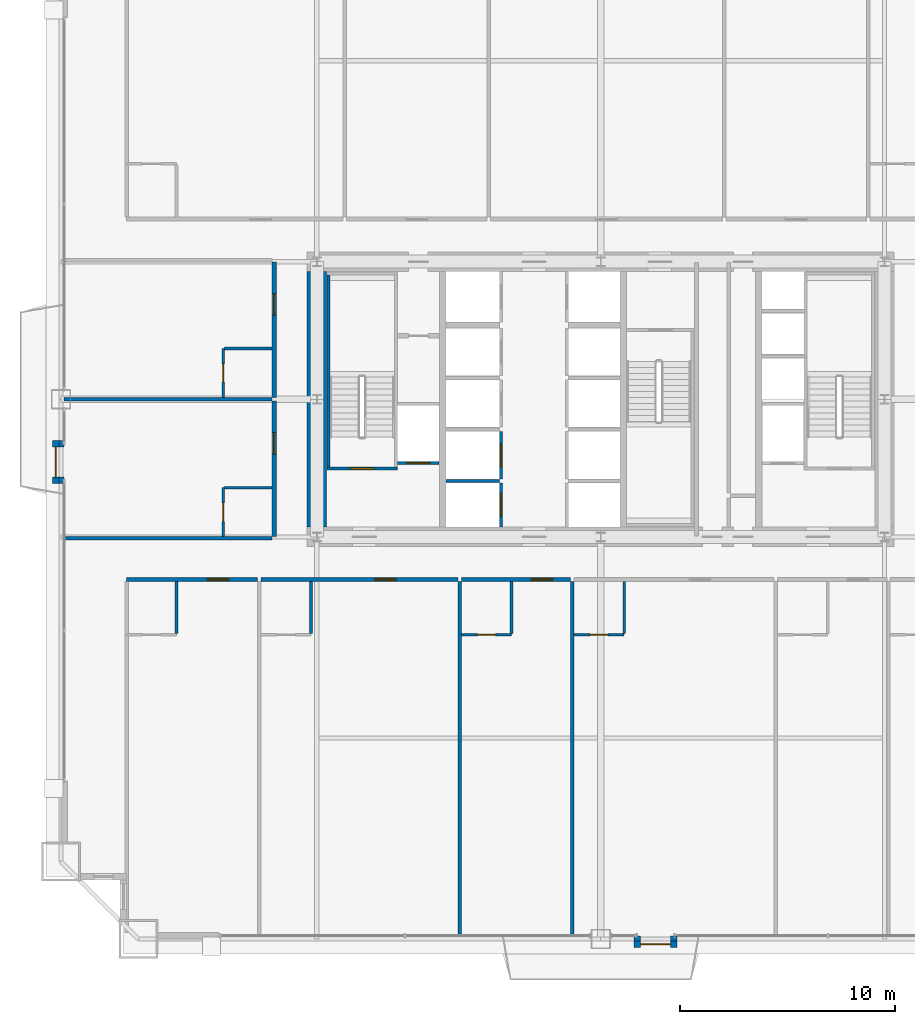
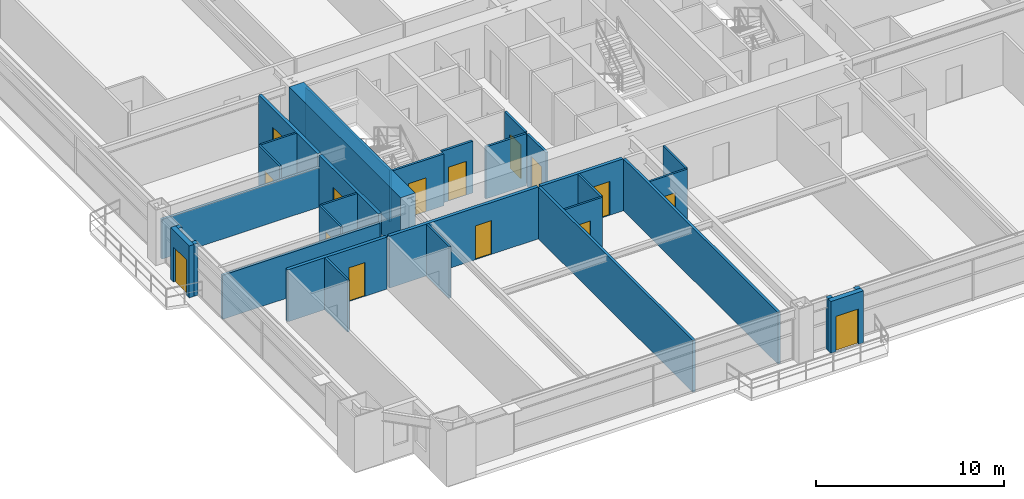
# One storey, part 41 of 46: 32 walls, 15 doors, 15 openings.
"""IFC4 building model written with IfcOpenShell, lengths in metres."""

from ifc_helpers import new_model, si_unit, direction, frame, frame_2d, origin, place, context, subcontext, project, spatial, rectangle, extrude, source, transform, mapped, material, layer, layer_set, type_object, element, fill, save


model = new_model("IFC4")

# Units and contexts
model_context = context("Model", 3, precision=1e-05, world=origin(), true_north=direction((0.0, 1.0)))
body_context = subcontext(model_context, "Body", "Model", "MODEL_VIEW")
ifc_project = project(units=[si_unit("LENGTHUNIT", "METRE"), si_unit("AREAUNIT", "SQUARE_METRE"), si_unit("VOLUMEUNIT", "CUBIC_METRE"), si_unit("PLANEANGLEUNIT", "RADIAN"), si_unit("MASSUNIT", "GRAM", prefix="KILO"), si_unit("THERMODYNAMICTEMPERATUREUNIT", "KELVIN"), si_unit("POWERUNIT", "WATT")], contexts=[model_context])

# Site, building, storey
site_placement = place(None, origin())
site = spatial("IfcSite", under=ifc_project, at=site_placement, CompositionType="ELEMENT")
building_placement = place(site_placement, origin())
building = spatial("IfcBuilding", under=site, at=building_placement, Name="Yuzanri Waterfront Tower", CompositionType="ELEMENT")
storey_placement = place(building_placement, frame((0.0, 0.0, 56.800048828125)))
storey = spatial("IfcBuildingStorey", under=building, at=storey_placement, Name="L14", CompositionType="ELEMENT", Elevation=56.800048828125)

# Wall, opening, door
ifc_material_1 = material(Name="Moisture-Resistant Gypsum Stud Wall", Category="gypsum")
ifc_layer_1 = layer(ifc_material_1, 0.1201171875)
ifc_layer_set_1 = layer_set([ifc_layer_1], Name="Moisture-Resistant Gypsum Stud Wall")
wall_type_1 = type_object("IfcWallType", Name="Bathroom and Kitchen Wet Partition 120", PredefinedType="PARTITIONING", material=ifc_layer_set_1)
wall_1_placement = place(storey_placement, frame((30.52099609375, 14.840087890625, 0.0), z_axis=(0.0, 0.0, 1.0), x_axis=(1.0, 0.0, 0.0)))
wall_1 = element("IfcWall", 1, at=wall_1_placement, inside=storey, type_object=wall_type_1, Name="L14 Partition UW-L14-S3-BS", PredefinedType="PARTITIONING", context=body_context, shape_type="SweptSolid", body=[
    extrude(rectangle(XDim=2.330078125, YDim=0.1201171875, at=frame_2d((1.1650390625, 0.0))), origin(), (0.0, 0.0, 1.0), 3.3798828125),
])
opening_1_placement = place(wall_1_placement, frame((0.739990234375, 0.0, 0.0)))
opening_1 = element("IfcOpeningElement", 2, at=opening_1_placement, cuts=wall_1, Name="Opening ID-0850", PredefinedType="OPENING", context=body_context, shape_type="SweptSolid", body=[
    extrude(rectangle(XDim=0.85009765625, YDim=2.10009765625, at=frame_2d((0.425048828125, 1.050048828125))), frame((0.0, 0.074951171875, 0.0), z_axis=(0.0, -1.0, 0.0), x_axis=(1.0, 0.0, 0.0)), (0.0, 0.0, 1.0), 0.14990234375),
])
ifc_material_2 = material(Name="Moisture-Resistant Lacquered Timber", Category="wood")
door_type_1 = type_object("IfcDoorType", Name="En-Suite Bathroom and Kitchen Swing Door 850x2100", OperationType="NOTDEFINED", PredefinedType="DOOR", material=ifc_material_2)
shared_shape_1 = source(origin(), body_context, "Body", "SweptSolid", [
    extrude(rectangle(XDim=0.85009765625, YDim=2.10009765625, at=frame_2d((0.425048828125, 1.050048828125))), frame((0.0, 0.02490234375, 0.0), z_axis=(0.0, -1.0, 0.0), x_axis=(1.0, 0.0, 0.0)), (0.0, 0.0, 1.0), 0.050048828125),
])
door_1_placement = place(opening_1_placement, origin())
door_1 = element("IfcDoor", 3, at=door_1_placement, inside=storey, type_object=door_type_1, Name="L14 Guest En-Suite Door", OperationType="SINGLE_SWING_RIGHT", OverallHeight=2.10009765625, OverallWidth=0.85009765625, PredefinedType="DOOR", context=body_context, shape_type="MappedRepresentation", body=[
    mapped(shared_shape_1, transform((0.0, 0.0, 0.0), scale=1.0)),
])
fill(opening_1, door_1)

wall_2_placement = place(storey_placement, frame((35.756103515625, 14.840087890625, 0.0), z_axis=(0.0, 0.0, 1.0), x_axis=(1.0, 0.0, 0.0)))
wall_2 = element("IfcWall", 4, at=wall_2_placement, inside=storey, type_object=wall_type_1, Name="L14 Partition UW-L14-S4-BS", PredefinedType="PARTITIONING", context=body_context, shape_type="SweptSolid", body=[
    extrude(rectangle(XDim=2.329833984375, YDim=0.1201171875, at=frame_2d((1.1650390625, 0.0))), origin(), (0.0, 0.0, 1.0), 3.3798828125),
])
opening_2_placement = place(wall_2_placement, frame((0.739990234375, 0.0, 0.0)))
opening_2 = element("IfcOpeningElement", 5, at=opening_2_placement, cuts=wall_2, Name="Opening ID-0850", PredefinedType="OPENING", context=body_context, shape_type="SweptSolid", body=[
    extrude(rectangle(XDim=0.85009765625, YDim=2.10009765625, at=frame_2d((0.425048828125, 1.050048828125))), frame((0.0, 0.074951171875, 0.0), z_axis=(0.0, -1.0, 0.0), x_axis=(1.0, 0.0, 0.0)), (0.0, 0.0, 1.0), 0.14990234375),
])
door_2_placement = place(opening_2_placement, origin())
door_2 = element("IfcDoor", 6, at=door_2_placement, inside=storey, type_object=door_type_1, Name="L14 Guest En-Suite Door", OperationType="SINGLE_SWING_RIGHT", OverallHeight=2.10009765625, OverallWidth=0.85009765625, PredefinedType="DOOR", context=body_context, shape_type="MappedRepresentation", body=[
    mapped(shared_shape_1, transform((0.0, 0.0, 0.0), scale=1.0)),
])
fill(opening_2, door_2)

wall_3_placement = place(storey_placement, frame((19.43994140625, 19.409912109375, 0.0), z_axis=(0.0, 0.0, 1.0), x_axis=(0.0, 1.0, 0.0)))
wall_3 = element("IfcWall", 7, at=wall_3_placement, inside=storey, type_object=wall_type_1, Name="L14 Partition UW-L14-W1-BW", PredefinedType="PARTITIONING", context=body_context, shape_type="SweptSolid", body=[
    extrude(rectangle(XDim=2.280029296875, YDim=0.1201171875, at=frame_2d((1.14013671875, 0.0))), origin(), (0.0, 0.0, 1.0), 3.3798828125),
])
opening_3_placement = place(wall_3_placement, frame((0.715087890625, 0.0, 0.0)))
opening_3 = element("IfcOpeningElement", 8, at=opening_3_placement, cuts=wall_3, Name="Opening ID-0850", PredefinedType="OPENING", context=body_context, shape_type="SweptSolid", body=[
    extrude(rectangle(XDim=0.85009765625, YDim=2.10009765625, at=frame_2d((0.425048828125, 1.050048828125))), frame((0.0, 0.074951171875, 0.0), z_axis=(0.0, -1.0, 0.0), x_axis=(1.0, 0.0, 0.0)), (0.0, 0.0, 1.0), 0.14990234375),
])
door_3_placement = place(opening_3_placement, origin())
door_3 = element("IfcDoor", 9, at=door_3_placement, inside=storey, type_object=door_type_1, Name="L14 Guest En-Suite Door", OperationType="SINGLE_SWING_LEFT", OverallHeight=2.10009765625, OverallWidth=0.85009765625, PredefinedType="DOOR", context=body_context, shape_type="MappedRepresentation", body=[
    mapped(shared_shape_1, transform((0.0, 0.0, 0.0), scale=1.0)),
])
fill(opening_3, door_3)

wall_4_placement = place(storey_placement, frame((19.43994140625, 25.8798828125, 0.0), z_axis=(0.0, 0.0, 1.0), x_axis=(0.0, 1.0, 0.0)))
wall_4 = element("IfcWall", 10, at=wall_4_placement, inside=storey, type_object=wall_type_1, Name="L14 Partition UW-L14-W2-BW", PredefinedType="PARTITIONING", context=body_context, shape_type="SweptSolid", body=[
    extrude(rectangle(XDim=2.280029296875, YDim=0.1201171875, at=frame_2d((1.14013671875, 0.0))), origin(), (0.0, 0.0, 1.0), 3.3798828125),
])
opening_4_placement = place(wall_4_placement, frame((0.715087890625, 0.0, 0.0)))
opening_4 = element("IfcOpeningElement", 11, at=opening_4_placement, cuts=wall_4, Name="Opening ID-0850", PredefinedType="OPENING", context=body_context, shape_type="SweptSolid", body=[
    extrude(rectangle(XDim=0.85009765625, YDim=2.10009765625, at=frame_2d((0.425048828125, 1.050048828125))), frame((0.0, 0.074951171875, 0.0), z_axis=(0.0, -1.0, 0.0), x_axis=(1.0, 0.0, 0.0)), (0.0, 0.0, 1.0), 0.14990234375),
])
door_4_placement = place(opening_4_placement, origin())
door_4 = element("IfcDoor", 12, at=door_4_placement, inside=storey, type_object=door_type_1, Name="L14 Guest En-Suite Door", OperationType="SINGLE_SWING_LEFT", OverallHeight=2.10009765625, OverallWidth=0.85009765625, PredefinedType="DOOR", context=body_context, shape_type="MappedRepresentation", body=[
    mapped(shared_shape_1, transform((0.0, 0.0, 0.0), scale=1.0)),
])
fill(opening_4, door_4)

ifc_material_3 = material(Name="Honed Chongqing Dark Basalt Stone", Category="masonry")
ifc_layer_2 = layer(ifc_material_3, 0.300048828125)
ifc_layer_set_2 = layer_set([ifc_layer_2], Name="Honed Chongqing Dark Basalt Stone")
wall_type_2 = type_object("IfcWallType", Name="Bronze Rainscreen Insulated Spandrel Portal Wall 300", PredefinedType="SOLIDWALL", material=ifc_layer_set_2)
wall_5_placement = place(storey_placement, frame((38.551025390625, 0.449951171875, 0.0), z_axis=(0.0, 0.0, 1.0), x_axis=(1.0, 0.0, 0.0)))
wall_5 = element("IfcWall", 13, at=wall_5_placement, inside=storey, type_object=wall_type_2, Name="L14 S Terrace Door Portal Wall", PredefinedType="SOLIDWALL", context=body_context, shape_type="SweptSolid", body=[
    extrude(rectangle(XDim=2.0, YDim=0.300048828125, at=frame_2d((1.0, 0.0))), origin(), (0.0, 0.0, 1.0), 3.3798828125),
])
opening_5_placement = place(wall_5_placement, frame((0.300048828125, 0.0, 0.0)))
opening_5 = element("IfcOpeningElement", 14, at=opening_5_placement, cuts=wall_5, Name="Opening TD-1400", PredefinedType="OPENING", context=body_context, shape_type="SweptSolid", body=[
    extrude(rectangle(XDim=1.39990234375, YDim=2.300048828125, at=frame_2d((0.699951171875, 1.14990234375))), frame((0.0, 0.1650390625, 0.0), z_axis=(0.0, -1.0, 0.0), x_axis=(1.0, 0.0, 0.0)), (0.0, 0.0, 1.0), 0.329833984375),
])
ifc_material_4 = material(Name="Anodized Architectural Bronze", Category="metal")
door_type_2 = type_object("IfcDoorType", Name="Anodized Bronze Balcony and Terrace Glazed Double Door 1400x2300", OperationType="NOTDEFINED", PredefinedType="DOOR", material=ifc_material_4)
shared_shape_2 = source(origin(), body_context, "Body", "SweptSolid", [
    extrude(rectangle(XDim=1.39990234375, YDim=2.300048828125, at=frame_2d((0.699951171875, 1.14990234375))), frame((0.0, 0.02490234375, 0.0), z_axis=(0.0, -1.0, 0.0), x_axis=(1.0, 0.0, 0.0)), (0.0, 0.0, 1.0), 0.050048828125),
])
door_5_placement = place(opening_5_placement, origin())
door_5 = element("IfcDoor", 15, at=door_5_placement, inside=storey, type_object=door_type_2, Name="L14 S Terrace Glazed Double Door", OperationType="DOUBLE_DOOR_SINGLE_SWING", OverallHeight=2.300048828125, OverallWidth=1.39990234375, PredefinedType="DOOR", context=body_context, shape_type="MappedRepresentation", body=[
    mapped(shared_shape_2, transform((0.0, 0.0, 0.0), scale=1.0)),
])
fill(opening_5, door_5)

wall_6_placement = place(storey_placement, frame((11.64990234375, 21.875, 0.0), z_axis=(0.0, 0.0, 1.0), x_axis=(0.0, 1.0, 0.0)))
wall_6 = element("IfcWall", 16, at=wall_6_placement, inside=storey, type_object=wall_type_2, Name="L14 W Terrace Door Portal Wall", PredefinedType="SOLIDWALL", context=body_context, shape_type="SweptSolid", body=[
    extrude(rectangle(XDim=2.0, YDim=0.300048828125, at=frame_2d((1.0, 0.0))), origin(), (0.0, 0.0, 1.0), 3.3798828125),
])
opening_6_placement = place(wall_6_placement, frame((0.300048828125, 0.0, 0.0)))
opening_6 = element("IfcOpeningElement", 17, at=opening_6_placement, cuts=wall_6, Name="Opening TD-1400", PredefinedType="OPENING", context=body_context, shape_type="SweptSolid", body=[
    extrude(rectangle(XDim=1.39990234375, YDim=2.300048828125, at=frame_2d((0.699951171875, 1.14990234375))), frame((0.0, 0.1650390625, 0.0), z_axis=(0.0, -1.0, 0.0), x_axis=(1.0, 0.0, 0.0)), (0.0, 0.0, 1.0), 0.329833984375),
])
door_6_placement = place(opening_6_placement, origin())
door_6 = element("IfcDoor", 18, at=door_6_placement, inside=storey, type_object=door_type_2, Name="L14 W Terrace Glazed Double Door", OperationType="DOUBLE_DOOR_SINGLE_SWING", OverallHeight=2.300048828125, OverallWidth=1.39990234375, PredefinedType="DOOR", context=body_context, shape_type="MappedRepresentation", body=[
    mapped(shared_shape_2, transform((0.0, 0.0, 0.0), scale=1.0)),
])
fill(opening_6, door_6)

ifc_material_5 = material(Name="Concrete C40", Category="concrete")
ifc_layer_3 = layer(ifc_material_5, 0.139892578125)
ifc_layer_set_3 = layer_set([ifc_layer_3], Name="Concrete C40")
wall_type_3 = type_object("IfcWallType", Name="Core Stair Liner and Hoistway Shaft Wall 140", PredefinedType="SOLIDWALL", material=ifc_layer_set_3)
wall_7_placement = place(storey_placement, frame((27.56005859375, 22.830078125, 0.0), z_axis=(0.0, 0.0, 1.0), x_axis=(1.0, 0.0, 0.0)))
wall_7 = element("IfcWall", 19, at=wall_7_placement, inside=storey, type_object=wall_type_3, Name="L14 Lift FL-01 Front Shaft Wall", PredefinedType="SOLIDWALL", context=body_context, shape_type="SweptSolid", body=[
    extrude(rectangle(XDim=1.919921875, YDim=0.139892578125, at=frame_2d((0.9599609375, 0.0))), origin(), (0.0, 0.0, 1.0), 3.3798828125),
])
opening_7_placement = place(wall_7_placement, frame((0.409912109375, 0.0, 0.0)))
opening_7 = element("IfcOpeningElement", 20, at=opening_7_placement, cuts=wall_7, Name="Opening LD-FL-01", PredefinedType="OPENING", context=body_context, shape_type="SweptSolid", body=[
    extrude(rectangle(XDim=1.10009765625, YDim=2.199951171875, at=frame_2d((0.550048828125, 1.10009765625))), frame((0.0, 0.0849609375, 0.0), z_axis=(0.0, -1.0, 0.0), x_axis=(1.0, 0.0, 0.0)), (0.0, 0.0, 1.0), 0.169677734375),
])
ifc_material_6 = material(Name="Brushed Bronze and Stainless Steel Cab", Category="steel")
door_type_3 = type_object("IfcDoorType", Name="Center-Parting Bronze Lift Landing Sliding Door 1100x2200", OperationType="NOTDEFINED", PredefinedType="DOOR", material=ifc_material_6)
shared_shape_3 = source(origin(), body_context, "Body", "SweptSolid", [
    extrude(rectangle(XDim=1.10009765625, YDim=2.199951171875, at=frame_2d((0.550048828125, 1.10009765625))), frame((0.0, 0.02490234375, 0.0), z_axis=(0.0, -1.0, 0.0), x_axis=(1.0, 0.0, 0.0)), (0.0, 0.0, 1.0), 0.050048828125),
])
door_7_placement = place(opening_7_placement, origin())
door_7 = element("IfcDoor", 21, at=door_7_placement, inside=storey, type_object=door_type_3, Name="L14 FL-01 Lift Landing Sliding Door", OperationType="SLIDING_TO_LEFT", OverallHeight=2.199951171875, OverallWidth=1.10009765625, PredefinedType="DOOR", context=body_context, shape_type="MappedRepresentation", body=[
    mapped(shared_shape_3, transform((0.0, 0.0, 0.0), scale=1.0)),
])
fill(opening_7, door_7)

wall_8_placement = place(storey_placement, frame((32.3701171875, 19.860107421875, 0.0), z_axis=(0.0, 0.0, 1.0), x_axis=(0.0, 1.0, 0.0)))
wall_8 = element("IfcWall", 22, at=wall_8_placement, inside=storey, type_object=wall_type_3, Name="L14 Lift PL-01 Front Shaft Wall", PredefinedType="SOLIDWALL", context=body_context, shape_type="SweptSolid", body=[
    extrude(rectangle(XDim=2.039794921875, YDim=0.139892578125, at=frame_2d((1.02001953125, 0.0))), origin(), (0.0, 0.0, 1.0), 3.3798828125),
])
opening_8_placement = place(wall_8_placement, frame((0.469970703125, 0.0, 0.0)))
opening_8 = element("IfcOpeningElement", 23, at=opening_8_placement, cuts=wall_8, Name="Opening LD-PL-01", PredefinedType="OPENING", context=body_context, shape_type="SweptSolid", body=[
    extrude(rectangle(XDim=1.10009765625, YDim=2.199951171875, at=frame_2d((0.550048828125, 1.10009765625))), frame((0.0, 0.0849609375, 0.0), z_axis=(0.0, -1.0, 0.0), x_axis=(1.0, 0.0, 0.0)), (0.0, 0.0, 1.0), 0.169677734375),
])
door_8_placement = place(opening_8_placement, origin())
door_8 = element("IfcDoor", 24, at=door_8_placement, inside=storey, type_object=door_type_3, Name="L14 PL-01 Lift Landing Sliding Door", OperationType="SLIDING_TO_LEFT", OverallHeight=2.199951171875, OverallWidth=1.10009765625, PredefinedType="DOOR", context=body_context, shape_type="MappedRepresentation", body=[
    mapped(shared_shape_3, transform((0.0, 0.0, 0.0), scale=1.0)),
])
fill(opening_8, door_8)

wall_9_placement = place(storey_placement, frame((32.3701171875, 22.10009765625, 0.0), z_axis=(0.0, 0.0, 1.0), x_axis=(0.0, 1.0, 0.0)))
wall_9 = element("IfcWall", 25, at=wall_9_placement, inside=storey, type_object=wall_type_3, Name="L14 Lift PL-02 Front Shaft Wall", PredefinedType="SOLIDWALL", context=body_context, shape_type="SweptSolid", body=[
    extrude(rectangle(XDim=2.199951171875, YDim=0.139892578125, at=frame_2d((1.10009765625, 0.0))), origin(), (0.0, 0.0, 1.0), 3.3798828125),
])
opening_9_placement = place(wall_9_placement, frame((0.550048828125, 0.0, 0.0)))
opening_9 = element("IfcOpeningElement", 26, at=opening_9_placement, cuts=wall_9, Name="Opening LD-PL-02", PredefinedType="OPENING", context=body_context, shape_type="SweptSolid", body=[
    extrude(rectangle(XDim=1.10009765625, YDim=2.199951171875, at=frame_2d((0.550048828125, 1.10009765625))), frame((0.0, 0.0849609375, 0.0), z_axis=(0.0, -1.0, 0.0), x_axis=(1.0, 0.0, 0.0)), (0.0, 0.0, 1.0), 0.169677734375),
])
door_9_placement = place(opening_9_placement, origin())
door_9 = element("IfcDoor", 27, at=door_9_placement, inside=storey, type_object=door_type_3, Name="L14 PL-02 Lift Landing Sliding Door", OperationType="SLIDING_TO_RIGHT", OverallHeight=2.199951171875, OverallWidth=1.10009765625, PredefinedType="DOOR", context=body_context, shape_type="MappedRepresentation", body=[
    mapped(shared_shape_3, transform((0.0, 0.0, 0.0), scale=1.0)),
])
fill(opening_9, door_9)

wall_10_placement = place(storey_placement, frame((24.260009765625, 22.570068359375, 0.0), z_axis=(0.0, 0.0, 1.0), x_axis=(1.0, 0.0, 0.0)))
wall_10 = element("IfcWall", 28, at=wall_10_placement, inside=storey, type_object=wall_type_3, Name="L14 Shaft Wall STW-L14-ST-01-S", PredefinedType="SOLIDWALL", context=body_context, shape_type="SweptSolid", body=[
    extrude(rectangle(XDim=3.280029296875, YDim=0.139892578125, at=frame_2d((1.64013671875, 0.0))), origin(), (0.0, 0.0, 1.0), 3.3798828125),
])
opening_10_placement = place(wall_10_placement, frame((1.090087890625, 0.0, 0.0)))
opening_10 = element("IfcOpeningElement", 29, at=opening_10_placement, cuts=wall_10, Name="Opening FD-1100", PredefinedType="OPENING", context=body_context, shape_type="SweptSolid", body=[
    extrude(rectangle(XDim=1.10009765625, YDim=2.199951171875, at=frame_2d((0.550048828125, 1.10009765625))), frame((0.0, 0.0849609375, 0.0), z_axis=(0.0, -1.0, 0.0), x_axis=(1.0, 0.0, 0.0)), (0.0, 0.0, 1.0), 0.169677734375),
])
ifc_material_7 = material(Name="Painted Galvanized Fire Steel", Category="steel")
door_type_4 = type_object("IfcDoorType", Name="Smoke-Proof Stair and Lobby Fire Door 1100x2200", OperationType="NOTDEFINED", PredefinedType="DOOR", material=ifc_material_7)
shared_shape_4 = source(origin(), body_context, "Body", "SweptSolid", [
    extrude(rectangle(XDim=1.10009765625, YDim=2.199951171875, at=frame_2d((0.550048828125, 1.10009765625))), frame((0.0, 0.02490234375, 0.0), z_axis=(0.0, -1.0, 0.0), x_axis=(1.0, 0.0, 0.0)), (0.0, 0.0, 1.0), 0.050048828125),
])
door_10_placement = place(opening_10_placement, origin())
door_10 = element("IfcDoor", 30, at=door_10_placement, inside=storey, type_object=door_type_4, Name="L14 Stair ST-01 Fire Door", OperationType="SINGLE_SWING_RIGHT", OverallHeight=2.199951171875, OverallWidth=1.10009765625, PredefinedType="DOOR", context=body_context, shape_type="MappedRepresentation", body=[
    mapped(shared_shape_4, transform((0.0, 0.0, 0.0), scale=1.0)),
])
fill(opening_10, door_10)

ifc_material_8 = material(Name="Autoclaved Aerated Concrete Blockwork", Category="masonry")
ifc_layer_4 = layer(ifc_material_8, 0.199951171875)
ifc_layer_set_4 = layer_set([ifc_layer_4], Name="Autoclaved Aerated Concrete Blockwork")
wall_type_4 = type_object("IfcWallType", Name="Corridor and Unit Party Fire Wall 200", PredefinedType="PARTITIONING", material=ifc_layer_set_4)
wall_11_placement = place(storey_placement, frame((14.93994140625, 17.419921875, 0.0), z_axis=(0.0, 0.0, 1.0), x_axis=(1.0, 0.0, 0.0)))
wall_11 = element("IfcWall", 31, at=wall_11_placement, inside=storey, type_object=wall_type_4, Name="L14 Partition UW-L14-S1-CN", PredefinedType="PARTITIONING", context=body_context, shape_type="SweptSolid", body=[
    extrude(rectangle(XDim=6.09716796875, YDim=0.199951171875, at=frame_2d((3.048583984375, 0.0))), origin(), (0.0, 0.0, 1.0), 3.3798828125),
])
opening_11_placement = place(wall_11_placement, frame((3.75390625, 0.0, 0.0)))
opening_11 = element("IfcOpeningElement", 32, at=opening_11_placement, cuts=wall_11, Name="Opening FD-1000", PredefinedType="OPENING", context=body_context, shape_type="SweptSolid", body=[
    extrude(rectangle(XDim=1.0, YDim=2.199951171875, at=frame_2d((0.5, 1.10009765625))), frame((0.0, 0.11474609375, 0.0), z_axis=(0.0, -1.0, 0.0), x_axis=(1.0, 0.0, 0.0)), (0.0, 0.0, 1.0), 0.229736328125),
])
ifc_material_9 = material(Name="Engineered Oak Fire-Rated Timber", Category="wood")
door_type_5 = type_object("IfcDoorType", Name="Guestroom and Apartment Entrance Fire Door 1000x2200", OperationType="NOTDEFINED", PredefinedType="DOOR", material=ifc_material_9)
shared_shape_5 = source(origin(), body_context, "Body", "SweptSolid", [
    extrude(rectangle(XDim=1.0, YDim=2.199951171875, at=frame_2d((0.5, 1.10009765625))), frame((0.0, 0.02490234375, 0.0), z_axis=(0.0, -1.0, 0.0), x_axis=(1.0, 0.0, 0.0)), (0.0, 0.0, 1.0), 0.050048828125),
])
door_11_placement = place(opening_11_placement, origin())
door_11 = element("IfcDoor", 33, at=door_11_placement, inside=storey, type_object=door_type_5, Name="L14 Deluxe Riverfront Junior Suite Entrance Door", OperationType="SINGLE_SWING_LEFT", OverallHeight=2.199951171875, OverallWidth=1.0, PredefinedType="DOOR", context=body_context, shape_type="MappedRepresentation", body=[
    mapped(shared_shape_5, transform((0.0, 0.0, 0.0), scale=1.0)),
])
fill(opening_11, door_11)

wall_12_placement = place(storey_placement, frame((21.197021484375, 17.419921875, 0.0), z_axis=(0.0, 0.0, 1.0), x_axis=(1.0, 0.0, 0.0)))
wall_12 = element("IfcWall", 34, at=wall_12_placement, inside=storey, type_object=wall_type_4, Name="L14 Partition UW-L14-S2-CN", PredefinedType="PARTITIONING", context=body_context, shape_type="SweptSolid", body=[
    extrude(rectangle(XDim=9.1640625, YDim=0.199951171875, at=frame_2d((4.58203125, 0.0))), origin(), (0.0, 0.0, 1.0), 3.3798828125),
])
opening_12_placement = place(wall_12_placement, frame((5.287109375, 0.0, 0.0)))
opening_12 = element("IfcOpeningElement", 35, at=opening_12_placement, cuts=wall_12, Name="Opening FD-1000", PredefinedType="OPENING", context=body_context, shape_type="SweptSolid", body=[
    extrude(rectangle(XDim=1.0, YDim=2.199951171875, at=frame_2d((0.5, 1.10009765625))), frame((0.0, 0.11474609375, 0.0), z_axis=(0.0, -1.0, 0.0), x_axis=(1.0, 0.0, 0.0)), (0.0, 0.0, 1.0), 0.229736328125),
])
door_12_placement = place(opening_12_placement, origin())
door_12 = element("IfcDoor", 36, at=door_12_placement, inside=storey, type_object=door_type_5, Name="L14 Deluxe Riverfront Junior Suite Entrance Door", OperationType="SINGLE_SWING_LEFT", OverallHeight=2.199951171875, OverallWidth=1.0, PredefinedType="DOOR", context=body_context, shape_type="MappedRepresentation", body=[
    mapped(shared_shape_5, transform((0.0, 0.0, 0.0), scale=1.0)),
])
fill(opening_12, door_12)

wall_13_placement = place(storey_placement, frame((30.52099609375, 17.419921875, 0.0), z_axis=(0.0, 0.0, 1.0), x_axis=(1.0, 0.0, 0.0)))
wall_13 = element("IfcWall", 37, at=wall_13_placement, inside=storey, type_object=wall_type_4, Name="L14 Partition UW-L14-S3-CN", PredefinedType="PARTITIONING", context=body_context, shape_type="SweptSolid", body=[
    extrude(rectangle(XDim=5.074951171875, YDim=0.199951171875, at=frame_2d((2.53759765625, 0.0))), origin(), (0.0, 0.0, 1.0), 3.3798828125),
])
opening_13_placement = place(wall_13_placement, frame((3.241943359375, 0.0, 0.0)))
opening_13 = element("IfcOpeningElement", 38, at=opening_13_placement, cuts=wall_13, Name="Opening FD-1000", PredefinedType="OPENING", context=body_context, shape_type="SweptSolid", body=[
    extrude(rectangle(XDim=1.0, YDim=2.199951171875, at=frame_2d((0.5, 1.10009765625))), frame((0.0, 0.11474609375, 0.0), z_axis=(0.0, -1.0, 0.0), x_axis=(1.0, 0.0, 0.0)), (0.0, 0.0, 1.0), 0.229736328125),
])
door_13_placement = place(opening_13_placement, origin())
door_13 = element("IfcDoor", 39, at=door_13_placement, inside=storey, type_object=door_type_5, Name="L14 Deluxe Riverfront Junior Suite Entrance Door", OperationType="SINGLE_SWING_LEFT", OverallHeight=2.199951171875, OverallWidth=1.0, PredefinedType="DOOR", context=body_context, shape_type="MappedRepresentation", body=[
    mapped(shared_shape_5, transform((0.0, 0.0, 0.0), scale=1.0)),
])
fill(opening_13, door_13)

wall_14_placement = place(storey_placement, frame((21.820068359375, 19.409912109375, 0.0), z_axis=(0.0, 0.0, 1.0), x_axis=(0.0, 1.0, 0.0)))
wall_14 = element("IfcWall", 40, at=wall_14_placement, inside=storey, type_object=wall_type_4, Name="L14 Partition UW-L14-W1-CW", PredefinedType="PARTITIONING", context=body_context, shape_type="SweptSolid", body=[
    extrude(rectangle(XDim=6.31005859375, YDim=0.199951171875, at=frame_2d((3.155029296875, 0.0))), origin(), (0.0, 0.0, 1.0), 3.3798828125),
])
opening_14_placement = place(wall_14_placement, frame((3.8349609375, 0.0, 0.0)))
opening_14 = element("IfcOpeningElement", 41, at=opening_14_placement, cuts=wall_14, Name="Opening FD-1000", PredefinedType="OPENING", context=body_context, shape_type="SweptSolid", body=[
    extrude(rectangle(XDim=1.0, YDim=2.199951171875, at=frame_2d((0.5, 1.10009765625))), frame((0.0, 0.11474609375, 0.0), z_axis=(0.0, -1.0, 0.0), x_axis=(1.0, 0.0, 0.0)), (0.0, 0.0, 1.0), 0.229736328125),
])
door_14_placement = place(opening_14_placement, origin())
door_14 = element("IfcDoor", 42, at=door_14_placement, inside=storey, type_object=door_type_5, Name="L14 West Guest Room Entrance Door", OperationType="SINGLE_SWING_RIGHT", OverallHeight=2.199951171875, OverallWidth=1.0, PredefinedType="DOOR", context=body_context, shape_type="MappedRepresentation", body=[
    mapped(shared_shape_5, transform((0.0, 0.0, 0.0), scale=1.0)),
])
fill(opening_14, door_14)

wall_15_placement = place(storey_placement, frame((21.820068359375, 25.8798828125, 0.0), z_axis=(0.0, 0.0, 1.0), x_axis=(0.0, 1.0, 0.0)))
wall_15 = element("IfcWall", 43, at=wall_15_placement, inside=storey, type_object=wall_type_4, Name="L14 Partition UW-L14-W2-CW", PredefinedType="PARTITIONING", context=body_context, shape_type="SweptSolid", body=[
    extrude(rectangle(XDim=6.31005859375, YDim=0.199951171875, at=frame_2d((3.155029296875, 0.0))), origin(), (0.0, 0.0, 1.0), 3.3798828125),
])
opening_15_placement = place(wall_15_placement, frame((3.8349609375, 0.0, 0.0)))
opening_15 = element("IfcOpeningElement", 44, at=opening_15_placement, cuts=wall_15, Name="Opening FD-1000", PredefinedType="OPENING", context=body_context, shape_type="SweptSolid", body=[
    extrude(rectangle(XDim=1.0, YDim=2.199951171875, at=frame_2d((0.5, 1.10009765625))), frame((0.0, 0.11474609375, 0.0), z_axis=(0.0, -1.0, 0.0), x_axis=(1.0, 0.0, 0.0)), (0.0, 0.0, 1.0), 0.229736328125),
])
door_15_placement = place(opening_15_placement, origin())
door_15 = element("IfcDoor", 45, at=door_15_placement, inside=storey, type_object=door_type_5, Name="L14 West Guest Room Entrance Door", OperationType="SINGLE_SWING_RIGHT", OverallHeight=2.199951171875, OverallWidth=1.0, PredefinedType="DOOR", context=body_context, shape_type="MappedRepresentation", body=[
    mapped(shared_shape_5, transform((0.0, 0.0, 0.0), scale=1.0)),
])
fill(opening_15, door_15)

# Walls
ifc_material_10 = material(Name="Concrete C60", Category="concrete")
ifc_layer_5 = layer(ifc_material_10, 0.89990234375)
ifc_layer_set_5 = layer_set([ifc_layer_5], Name="Concrete C60")
wall_type_5 = type_object("IfcWallType", Name="Concrete C60 Lower Zone Core Shear Wall 900", PredefinedType="SHEAR", material=ifc_layer_set_5)
shared_shape_6 = source(origin(), body_context, "Body", "SweptSolid", [
    extrude(rectangle(XDim=11.89990234375, YDim=0.89990234375, at=frame_2d((5.949951171875, 0.0))), origin(), (0.0, 0.0, 1.0), 3.599853515625),
])
wall_16_placement = place(storey_placement, frame((23.800048828125, 19.85009765625, 0.0), z_axis=(0.0, 0.0, 1.0), x_axis=(0.0, 1.0, 0.0)))
element("IfcWall", 46, at=wall_16_placement, inside=storey, type_object=wall_type_5, Name="L14 Core West Shear Wall", PredefinedType="SHEAR", context=body_context, shape_type="MappedRepresentation", body=[
    mapped(shared_shape_6, transform((0.0, 0.0, 0.0), scale=1.0)),
])
shared_shape_7 = source(origin(), body_context, "Body", "SweptSolid", [
    extrude(rectangle(XDim=0.25, YDim=0.300048828125, at=frame_2d((0.125, 0.0))), origin(), (0.0, 0.0, 1.0), 3.3798828125),
])
for number, where, z_axis, x_axis, name in (
    (47, (38.700927734375, 0.85009765625, 0.0), (0.0, 0.0, 1.0), (0.0, -1.0, 0.0), "L14 S Terrace Portal Left Return"),
    (48, (40.40087890625, 0.60009765625, 0.0), (0.0, 0.0, 1.0), (0.0, 1.0, 0.0), "L14 S Terrace Portal Right Return"),
    (49, (12.050048828125, 22.02490234375, 0.0), (0.0, 0.0, 1.0), (-1.0, 0.0, 0.0), "L14 W Terrace Portal Left Return"),
    (50, (11.800048828125, 23.72509765625, 0.0), (0.0, 0.0, 1.0), (1.0, 0.0, 0.0), "L14 W Terrace Portal Right Return"),
):
    element("IfcWall", number, at=place(storey_placement, frame(where, z_axis=z_axis, x_axis=x_axis)), inside=storey, type_object=wall_type_2, Name=name, PredefinedType="SOLIDWALL", context=body_context, shape_type="MappedRepresentation", body=[
        mapped(shared_shape_7, transform((0.0, 0.0, 0.0), scale=1.0)),
    ])
shared_shape_8 = source(origin(), body_context, "Body", "SweptSolid", [
    extrude(rectangle(XDim=2.5, YDim=0.139892578125, at=frame_2d((1.25, 0.0))), origin(), (0.0, 0.0, 1.0), 3.3798828125),
])
wall_17_placement = place(storey_placement, frame((29.800048828125, 22.0, 0.0), z_axis=(0.0, 0.0, 1.0), x_axis=(1.0, 0.0, 0.0)))
element("IfcWall", 51, at=wall_17_placement, inside=storey, type_object=wall_type_3, Name="L14 Lift PL-01 Divider Wall", PredefinedType="SOLIDWALL", context=body_context, shape_type="MappedRepresentation", body=[
    mapped(shared_shape_8, transform((0.0, 0.0, 0.0), scale=1.0)),
])
shared_shape_9 = source(origin(), body_context, "Body", "SweptSolid", [
    extrude(rectangle(XDim=8.940185546875, YDim=0.139892578125, at=frame_2d((4.47021484375, 0.0))), origin(), (0.0, 0.0, 1.0), 3.3798828125),
])
wall_18_placement = place(storey_placement, frame((24.330078125, 22.639892578125, 0.0), z_axis=(0.0, 0.0, 1.0), x_axis=(0.0, 1.0, 0.0)))
element("IfcWall", 52, at=wall_18_placement, inside=storey, type_object=wall_type_3, Name="L14 Stair ST-01 West Shaft Wall", PredefinedType="SOLIDWALL", context=body_context, shape_type="MappedRepresentation", body=[
    mapped(shared_shape_9, transform((0.0, 0.0, 0.0), scale=1.0)),
])
ifc_material_11 = material(Name="Gypsum Fireboard Acoustic Stud Wall", Category="gypsum")
ifc_layer_6 = layer(ifc_material_11, 0.159912109375)
ifc_layer_set_6 = layer_set([ifc_layer_6], Name="Gypsum Fireboard Acoustic Stud Wall")
wall_type_6 = type_object("IfcWallType", Name="Acoustic Suite Demising Partition 160", PredefinedType="PARTITIONING", material=ifc_layer_set_6)
shared_shape_10 = source(origin(), body_context, "Body", "SweptSolid", [
    extrude(rectangle(XDim=16.469970703125, YDim=0.159912109375, at=frame_2d((8.23486328125, 0.0))), origin(), (0.0, 0.0, 1.0), 3.3798828125),
])
for number, where, z_axis, x_axis, name in (
    (53, (30.44091796875, 0.85009765625, 0.0), (0.0, 0.0, 1.0), (0.0, 1.0, 0.0), "L14-S2 Party Wall"),
    (54, (35.676025390625, 0.85009765625, 0.0), (0.0, 0.0, 1.0), (0.0, 1.0, 0.0), "L14-S3 Party Wall"),
):
    element("IfcWall", number, at=place(storey_placement, frame(where, z_axis=z_axis, x_axis=x_axis)), inside=storey, type_object=wall_type_6, Name=name, PredefinedType="PARTITIONING", context=body_context, shape_type="MappedRepresentation", body=[
        mapped(shared_shape_10, transform((0.0, 0.0, 0.0), scale=1.0)),
    ])
shared_shape_11 = source(origin(), body_context, "Body", "SweptSolid", [
    extrude(rectangle(XDim=2.420166015625, YDim=0.1201171875, at=frame_2d((1.2099609375, 0.0))), origin(), (0.0, 0.0, 1.0), 3.3798828125),
])
for number, where, z_axis, x_axis, name in (
    (55, (17.27001953125, 14.89990234375, 0.0), (0.0, 0.0, 1.0), (0.0, 1.0, 0.0), "L14-S1 En-Suite Side Wall"),
    (56, (23.527099609375, 14.89990234375, 0.0), (0.0, 0.0, 1.0), (0.0, 1.0, 0.0), "L14-S2 En-Suite Side Wall"),
    (57, (32.85107421875, 14.89990234375, 0.0), (0.0, 0.0, 1.0), (0.0, 1.0, 0.0), "L14-S3 En-Suite Side Wall"),
    (58, (38.0859375, 14.89990234375, 0.0), (0.0, 0.0, 1.0), (0.0, 1.0, 0.0), "L14-S4 En-Suite Side Wall"),
):
    element("IfcWall", number, at=place(storey_placement, frame(where, z_axis=z_axis, x_axis=x_axis)), inside=storey, type_object=wall_type_1, Name=name, PredefinedType="PARTITIONING", context=body_context, shape_type="MappedRepresentation", body=[
        mapped(shared_shape_11, transform((0.0, 0.0, 0.0), scale=1.0)),
    ])
shared_shape_12 = source(origin(), body_context, "Body", "SweptSolid", [
    extrude(rectangle(XDim=9.669921875, YDim=0.159912109375, at=frame_2d((4.8349609375, 0.0))), origin(), (0.0, 0.0, 1.0), 2.574951171875),
])
wall_19_placement = place(storey_placement, frame((12.050048828125, 25.800048828125, 0.0), z_axis=(0.0, 0.0, 1.0), x_axis=(1.0, 0.0, 0.0)))
element("IfcWall", 59, at=wall_19_placement, inside=storey, type_object=wall_type_6, Name="L14-W1 Wing Party Wall", PredefinedType="PARTITIONING", context=body_context, shape_type="MappedRepresentation", body=[
    mapped(shared_shape_12, transform((0.0, 0.0, 0.0), scale=1.0)),
])
shared_shape_13 = source(origin(), body_context, "Body", "SweptSolid", [
    extrude(rectangle(XDim=9.669921875, YDim=0.159912109375, at=frame_2d((4.8349609375, 0.0))), origin(), (0.0, 0.0, 1.0), 2.875),
])
wall_20_placement = place(storey_placement, frame((12.050048828125, 19.330078125, 0.0), z_axis=(0.0, 0.0, 1.0), x_axis=(1.0, 0.0, 0.0)))
element("IfcWall", 60, at=wall_20_placement, inside=storey, type_object=wall_type_6, Name="L14-W1 Wing South End Wall", PredefinedType="PARTITIONING", context=body_context, shape_type="MappedRepresentation", body=[
    mapped(shared_shape_13, transform((0.0, 0.0, 0.0), scale=1.0)),
])
shared_shape_14 = source(origin(), body_context, "Body", "SweptSolid", [
    extrude(rectangle(XDim=2.219970703125, YDim=0.1201171875, at=frame_2d((1.10986328125, 0.0))), origin(), (0.0, 0.0, 1.0), 3.3798828125),
])
for number, where, z_axis, x_axis, name in (
    (61, (19.5, 21.68994140625, 0.0), (0.0, 0.0, 1.0), (1.0, 0.0, 0.0), "L14-W1 En-Suite Top Wall"),
    (62, (19.5, 28.159912109375, 0.0), (0.0, 0.0, 1.0), (1.0, 0.0, 0.0), "L14-W2 En-Suite Top Wall"),
):
    element("IfcWall", number, at=place(storey_placement, frame(where, z_axis=z_axis, x_axis=x_axis)), inside=storey, type_object=wall_type_1, Name=name, PredefinedType="PARTITIONING", context=body_context, shape_type="MappedRepresentation", body=[
        mapped(shared_shape_14, transform((0.0, 0.0, 0.0), scale=1.0)),
    ])

save(model, "model.ifc")
